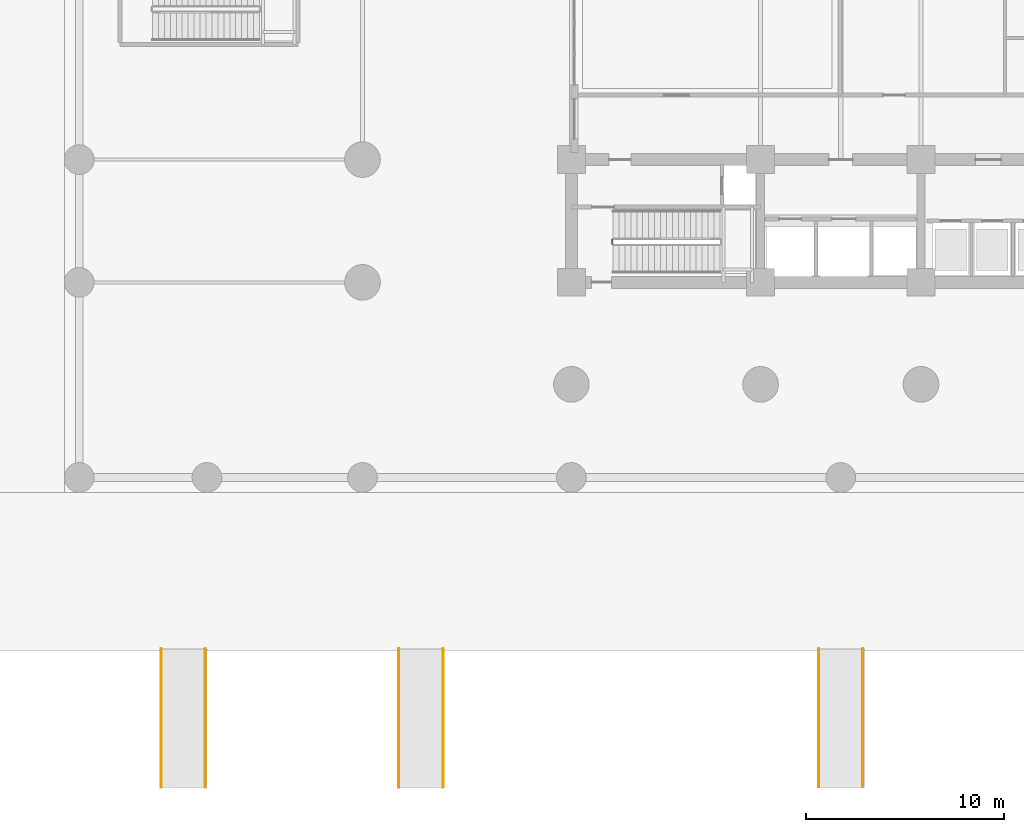
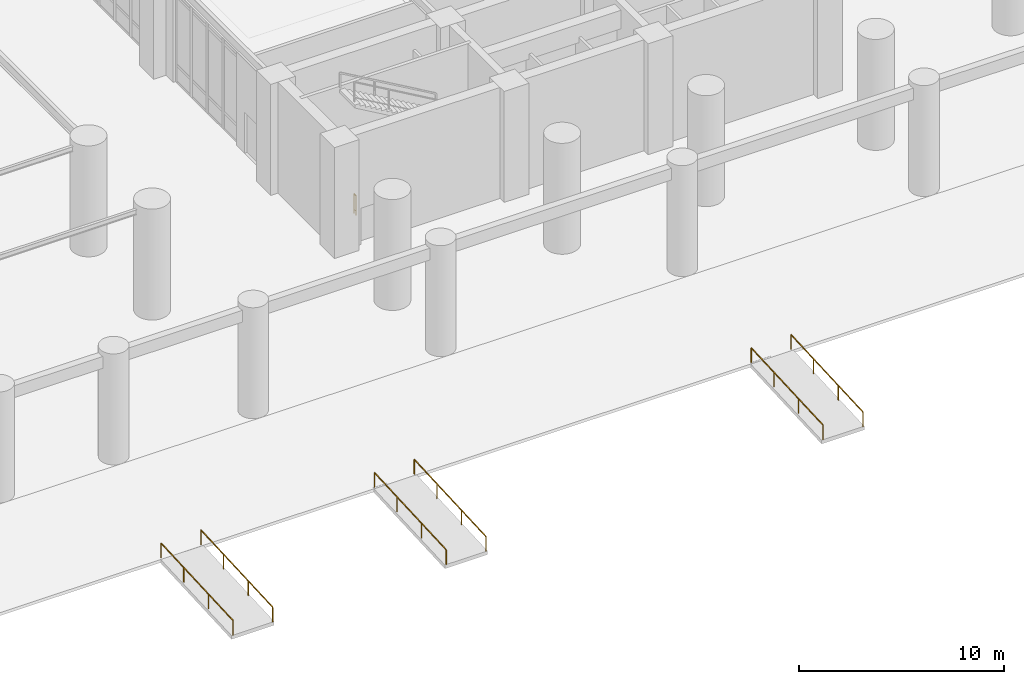
# One storey, part 11 of 16: 7 railings.
"""IFC4 building model written with IfcOpenShell, lengths in metres."""

from ifc_helpers import new_model, si_unit, direction, frame, origin, origin_2d, place, context, subcontext, project, spatial, rectangle, extrude, material, type_object, element, save


model = new_model("IFC4")

# Units and contexts
model_context = context("Model", 3, precision=1e-05, world=origin(), true_north=direction((0.0, 1.0)))
body_context = subcontext(model_context, "Body", "Model", "MODEL_VIEW")
ifc_project = project(units=[si_unit("LENGTHUNIT", "METRE"), si_unit("AREAUNIT", "SQUARE_METRE"), si_unit("VOLUMEUNIT", "CUBIC_METRE"), si_unit("PLANEANGLEUNIT", "RADIAN"), si_unit("MASSUNIT", "GRAM", prefix="KILO")], contexts=[model_context])

# Site, building, storey
site_placement = place(None, origin())
site = spatial("IfcSite", under=ifc_project, at=site_placement, CompositionType="ELEMENT")
building_placement = place(site_placement, origin())
building = spatial("IfcBuilding", under=site, at=building_placement, Name="Svetorya Sky Lyceum", CompositionType="ELEMENT")
storey_placement = place(building_placement, origin())
storey = spatial("IfcBuildingStorey", under=building, at=storey_placement, Name="L00", CompositionType="ELEMENT", Elevation=0.0)

# Railings
ifc_material_1 = material(Name="Brushed stainless AISI 304")
railing_type_1 = type_object("IfcRailingType", Name="RL-PED-900", PredefinedType="HANDRAIL", material=ifc_material_1)
for number, where, name in (
    (1, (4.8798828125, -14.89990234375, -0.35009765625), "Approach Ramp PR-1 Handrail W"),
    (2, (7.1201171875, -14.89990234375, -0.35009765625), "Approach Ramp PR-1 Handrail E"),
    (3, (16.8798828125, -14.89990234375, -0.35009765625), "Approach Ramp PR-2 Handrail W"),
    (4, (19.1201171875, -14.89990234375, -0.35009765625), "Approach Ramp PR-2 Handrail E"),
    (5, (38.080078125, -14.89990234375, -0.35009765625), "Approach Ramp PR-3 Handrail W"),
    (6, (40.320068359375, -14.89990234375, -0.35009765625), "Approach Ramp PR-3 Handrail E"),
):
    element("IfcRailing", number, at=place(storey_placement, frame(where)), inside=storey, type_object=railing_type_1, Name=name, PredefinedType="HANDRAIL", context=body_context, shape_type="SweptSolid", body=[
        extrude(rectangle(XDim=0.048095703125, YDim=0.048095703125, at=origin_2d()), frame((0.0, 0.0, 0.8759765625), z_axis=(0.0, 0.998751643845, 0.049951515669), x_axis=(-1.0, 0.0, 0.0)), (0.0, 0.0, 1.0), 7.0087890625),
        extrude(rectangle(XDim=0.0419921875, YDim=0.0419921875, at=origin_2d()), origin(), (0.0, 0.0, 1.0), 0.851806640625),
        extrude(rectangle(XDim=0.0419921875, YDim=0.0419921875, at=origin_2d()), frame((0.0, 2.39697265625, 0.119873046875)), (0.0, 0.0, 1.0), 0.851806640625),
        extrude(rectangle(XDim=0.0419921875, YDim=0.0419921875, at=origin_2d()), frame((0.0, 4.7939453125, 0.23974609375)), (0.0, 0.0, 1.0), 0.851806640625),
        extrude(rectangle(XDim=0.0419921875, YDim=0.0419921875, at=origin_2d()), frame((0.0, 7.0, 0.35009765625)), (0.0, 0.0, 1.0), 0.851806640625),
    ])
ifc_material_2 = material(Name="Painted galvanized stair well guard")
railing_type_2 = type_object("IfcRailingType", Name="RL-STR-GUARD-1200", PredefinedType="GUARDRAIL", material=ifc_material_2)
railing_placement = place(storey_placement, frame((27.64990234375, 12.550048828125, 0.0)))
element("IfcRailing", 7, at=railing_placement, inside=storey, type_object=railing_type_2, Name="L00 ST-S stair guard 4", PredefinedType="GUARDRAIL", context=body_context, shape_type="SweptSolid", body=[
    extrude(rectangle(XDim=0.048095703125, YDim=0.048095703125, at=origin_2d()), frame((0.0, 0.0, 1.17578125), z_axis=(0.0, 1.0, 0.0), x_axis=(-1.0, 0.0, 0.0)), (0.0, 0.0, 1.0), 0.199951171875),
    extrude(rectangle(XDim=0.02392578125, YDim=0.02392578125, at=origin_2d()), frame((0.0, 0.0, 0.25), z_axis=(0.0, 1.0, 0.0), x_axis=(-1.0, 0.0, 0.0)), (0.0, 0.0, 1.0), 0.199951171875),
    extrude(rectangle(XDim=0.0419921875, YDim=0.0419921875, at=origin_2d()), origin(), (0.0, 0.0, 1.0), 1.15185546875),
    extrude(rectangle(XDim=0.0419921875, YDim=0.0419921875, at=origin_2d()), frame((0.0, 0.199951171875, 0.0)), (0.0, 0.0, 1.0), 1.15185546875),
])

save(model, "model.ifc")
